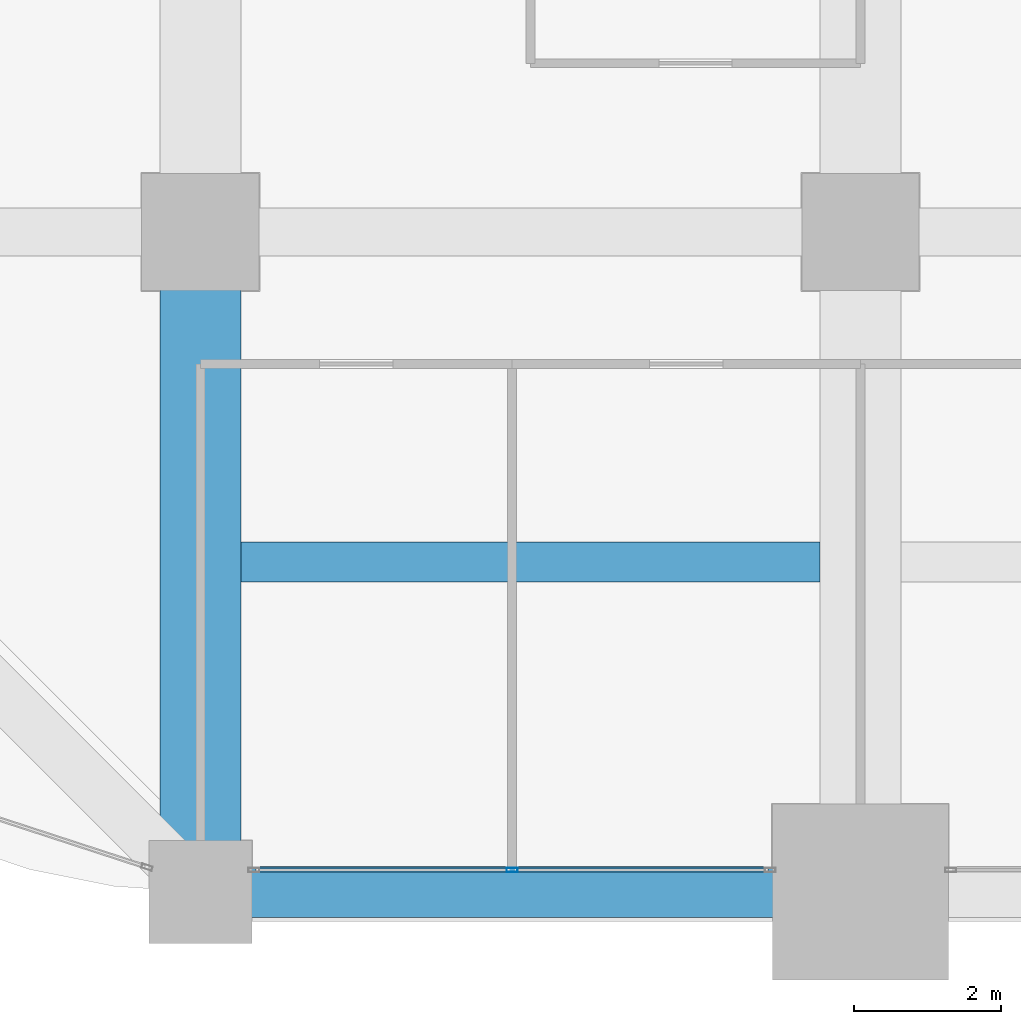
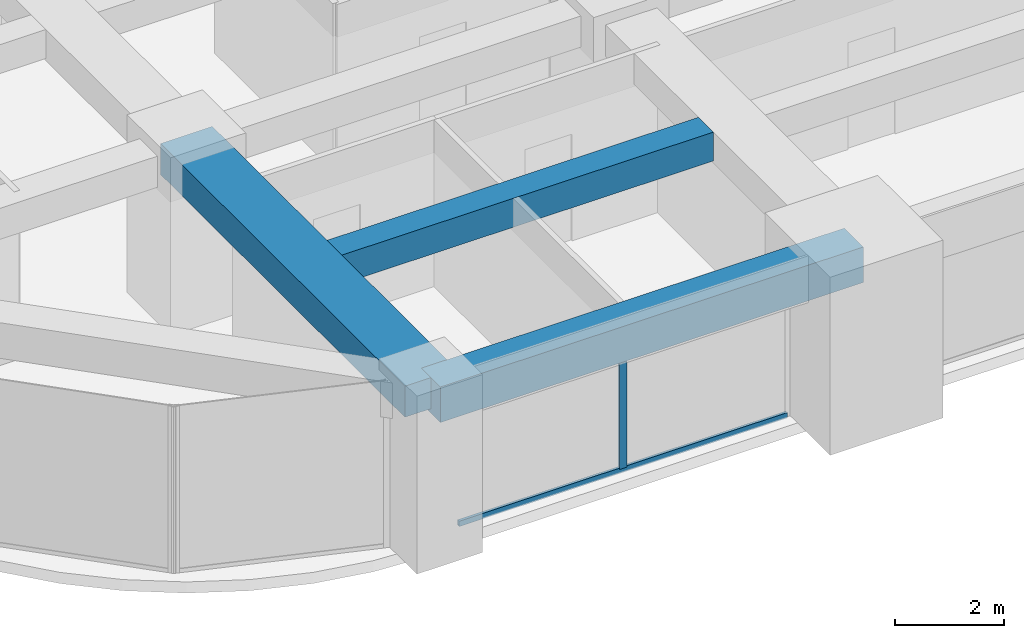
# One storey, part 3 of 34: 3 beams, 2 members, 1 element without a shape of its own.
"""IFC4 building model written with IfcOpenShell, lengths in metres."""

from ifc_helpers import new_model, si_unit, direction, frame, origin, origin_2d, place, context, subcontext, project, spatial, rectangle, hollow_rectangle, extrude, material, material_profile, profile_set, type_object, element, aggregate, save


model = new_model("IFC4")

# Units and contexts
model_context = context("Model", 3, precision=1e-05, world=origin(), true_north=direction((0.0, 1.0)))
body_context = subcontext(model_context, "Body", "Model", "MODEL_VIEW")
ifc_project = project(units=[si_unit("LENGTHUNIT", "METRE"), si_unit("AREAUNIT", "SQUARE_METRE"), si_unit("VOLUMEUNIT", "CUBIC_METRE"), si_unit("PLANEANGLEUNIT", "RADIAN"), si_unit("MASSUNIT", "GRAM", prefix="KILO")], contexts=[model_context])

# Site, building, storey
site_placement = place(None, origin())
site = spatial("IfcSite", under=ifc_project, at=site_placement, CompositionType="ELEMENT")
building_placement = place(site_placement, origin())
building = spatial("IfcBuilding", under=site, at=building_placement, Name="Zorevar Civic Tower", CompositionType="ELEMENT")
storey_placement = place(building_placement, frame((0.0, 0.0, 170.199951171875)))
storey = spatial("IfcBuildingStorey", under=building, at=storey_placement, Name="L41", CompositionType="ELEMENT", Elevation=170.199951171875)

# Beams
ifc_material_1 = material(Name="Concrete C50/60", Category="concrete")
ifc_material_profile_1 = material_profile(ifc_material_1, rectangle(XDim=1.10009765625, YDim=0.699951171875, at=origin_2d()), Name="RC 1100x700")
ifc_profile_set_1 = profile_set([ifc_material_profile_1], Name="Concrete C50/60")
beam_type_1 = type_object("IfcBeamType", Name="Beam RC 1100x700", PredefinedType="BEAM", material=ifc_profile_set_1)
beam_1_placement = place(storey_placement, frame((9.0, 0.0, 3.400146484375), z_axis=(0.0, 1.0, 0.0), x_axis=(-1.0, 0.0, 0.0)))
element("IfcBeam", 1, at=beam_1_placement, inside=storey, type_object=beam_type_1, Name="Girder L42", PredefinedType="BEAM", context=body_context, shape_type="SweptSolid", body=[
    extrude(rectangle(XDim=1.10009765625, YDim=0.699951171875, at=origin_2d()), origin(), (0.0, 0.0, 1.0), 9.0),
])
ifc_material_2 = material(Name="Concrete C50/60", Category="concrete")
ifc_material_profile_2 = material_profile(ifc_material_2, rectangle(XDim=0.550048828125, YDim=0.64990234375, at=origin_2d()), Name="RC 550x650")
ifc_profile_set_2 = profile_set([ifc_material_profile_2], Name="Concrete C50/60")
beam_type_2 = type_object("IfcBeamType", Name="Beam RC 550x650", PredefinedType="BEAM", material=ifc_profile_set_2)
beam_2_placement = place(storey_placement, frame((9.550048828125, 4.5, 3.425048828125), z_axis=(1.0, 0.0, 0.0), x_axis=(0.0, 1.0, 0.0)))
element("IfcBeam", 2, at=beam_2_placement, inside=storey, type_object=beam_type_2, Name="Secondary beam L42", PredefinedType="BEAM", context=body_context, shape_type="SweptSolid", body=[
    extrude(rectangle(XDim=0.550048828125, YDim=0.64990234375, at=origin_2d()), origin(), (0.0, 0.0, 1.0), 7.89990234375),
])

# Curtain wall, members
ifc_material_3 = material(Name="Dark grey solar-control glass in black aluminium frame", Category="aluminium")
curtain_wall_type = type_object("IfcCurtainWallType", Name="Curtain wall CW4 high zone", PredefinedType="NOTDEFINED", material=ifc_material_3)
curtain_wall_placement = place(storey_placement, origin())
curtain_wall = element("IfcCurtainWall", 3, at=curtain_wall_placement, inside=storey, type_object=curtain_wall_type, Name="CW4 L41", PredefinedType="NOTDEFINED")
ifc_material_4 = material(Name="Aluminium, black anodised", Category="aluminium")
ifc_material_profile_3 = material_profile(ifc_material_4, hollow_rectangle(XDim=0.06005859375, YDim=0.14990234375, WallThickness=0.00390625, at=origin_2d()), Name="AL 150x60x4")
ifc_profile_set_3 = profile_set([ifc_material_profile_3], Name="Aluminium, black anodised")
member_type_1 = type_object("IfcMemberType", Name="CW4 mullion AL 150x60x4", PredefinedType="MULLION", material=ifc_profile_set_3)
member_1_placement = place(storey_placement, frame((13.25, 0.300048828125, 0.06005859375), z_axis=(0.0, 0.0, 1.0), x_axis=(0.0, 1.0, 0.0)))
member_1 = element("IfcMember", 4, at=member_1_placement, type_object=member_type_1, Name="CW4 mullion 2", PredefinedType="MULLION", context=body_context, shape_type="SweptSolid", body=[
    extrude(hollow_rectangle(XDim=0.06005859375, YDim=0.14990234375, WallThickness=0.00390625, at=origin_2d()), origin(), (0.0, 0.0, 1.0), 2.889892578125),
])
ifc_material_5 = material(Name="Aluminium, black anodised", Category="aluminium")
ifc_material_profile_4 = material_profile(ifc_material_5, hollow_rectangle(XDim=0.06005859375, YDim=0.1201171875, WallThickness=0.0029296875, at=origin_2d()), Name="AL 120x60x3")
ifc_profile_set_4 = profile_set([ifc_material_profile_4], Name="Aluminium, black anodised")
member_type_2 = type_object("IfcMemberType", Name="CW4 transom AL 120x60x3", PredefinedType="USERDEFINED", material=ifc_profile_set_4)
member_2_placement = place(storey_placement, frame((9.760009765625, 0.300048828125, 0.030029296875), z_axis=(1.0, 0.0, 0.0), x_axis=(0.0, 1.0, 0.0)))
member_2 = element("IfcMember", 5, at=member_2_placement, type_object=member_type_2, Name="CW4 sill transom", ObjectType="TRANSOM", PredefinedType="USERDEFINED", context=body_context, shape_type="SweptSolid", body=[
    extrude(hollow_rectangle(XDim=0.06005859375, YDim=0.1201171875, WallThickness=0.0029296875, at=origin_2d()), origin(), (0.0, 0.0, 1.0), 6.97998046875),
])
aggregate(curtain_wall, [member_1, member_2])

# Beam
ifc_material_6 = material(Name="Concrete C50/60", Category="concrete")
ifc_material_profile_5 = material_profile(ifc_material_6, rectangle(XDim=0.699951171875, YDim=0.800048828125, at=origin_2d()), Name="RC 700x800")
ifc_profile_set_5 = profile_set([ifc_material_profile_5], Name="Concrete C50/60")
beam_type_3 = type_object("IfcBeamType", Name="Edge beam RC 700x800", PredefinedType="SPANDREL", material=ifc_profile_set_5)
beam_3_placement = place(storey_placement, frame((9.0, 0.0, 3.35009765625), z_axis=(1.0, 0.0, 0.0), x_axis=(0.0, 1.0, 0.0)))
element("IfcBeam", 6, at=beam_3_placement, inside=storey, type_object=beam_type_3, Name="Edge beam L42", PredefinedType="SPANDREL", context=body_context, shape_type="SweptSolid", body=[
    extrude(rectangle(XDim=0.699951171875, YDim=0.800048828125, at=origin_2d()), origin(), (0.0, 0.0, 1.0), 9.0),
])

save(model, "model.ifc")
